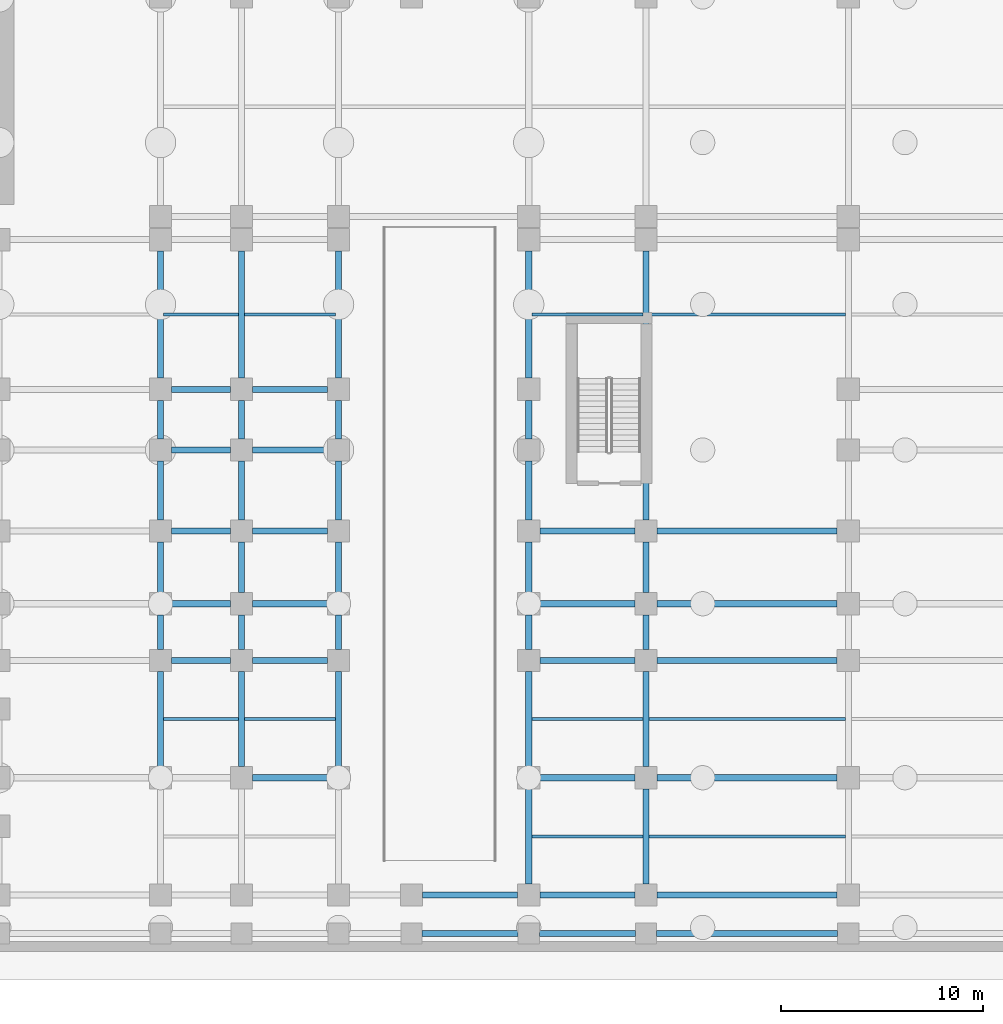
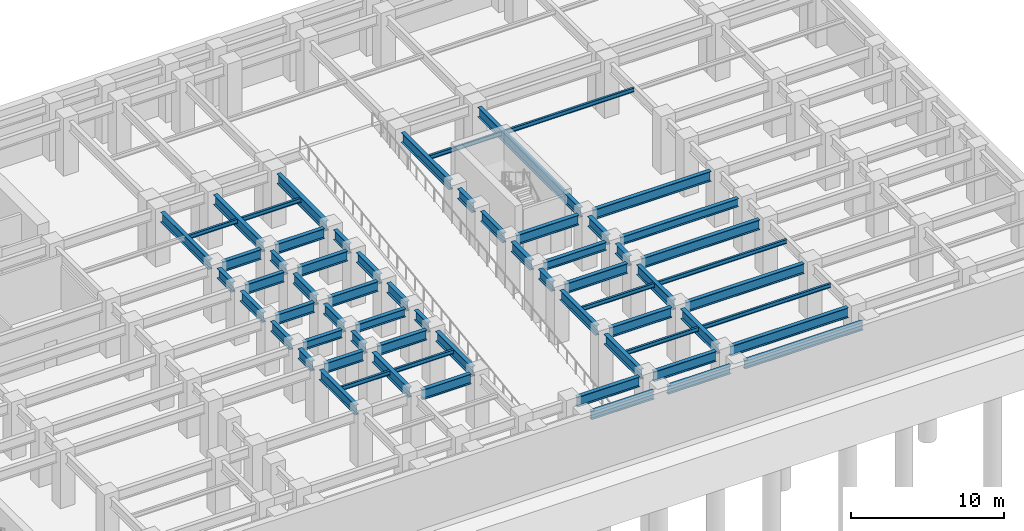
# One storey, part 3 of 13: 65 beams.
"""IFC4 building model written with IfcOpenShell, lengths in metres."""

from ifc_helpers import new_model, si_unit, direction, frame, origin, origin_2d, place, context, subcontext, project, spatial, i_section, extrude, material, material_profile, profile_set, type_object, element, save


model = new_model("IFC4")

# Units and contexts
model_context = context("Model", 3, precision=1e-05, world=origin(), true_north=direction((0.0, 1.0)))
body_context = subcontext(model_context, "Body", "Model", "MODEL_VIEW")
ifc_project = project(units=[si_unit("LENGTHUNIT", "METRE"), si_unit("AREAUNIT", "SQUARE_METRE"), si_unit("VOLUMEUNIT", "CUBIC_METRE"), si_unit("PLANEANGLEUNIT", "RADIAN"), si_unit("MASSUNIT", "GRAM", prefix="KILO")], contexts=[model_context])

# Site, building, storey
site_placement = place(None, origin())
site = spatial("IfcSite", under=ifc_project, at=site_placement, CompositionType="ELEMENT")
building_placement = place(site_placement, origin())
building = spatial("IfcBuilding", under=site, at=building_placement, Name="Kefirva Bronze Tower", CompositionType="ELEMENT")
storey_placement = place(building_placement, frame((0.0, 0.0, -9.239990234375)))
storey = spatial("IfcBuildingStorey", under=building, at=storey_placement, Name="B2", CompositionType="ELEMENT", Elevation=-9.239990234375)

# Beams
ifc_material = material(Name="Steel S355", Category="steel")
ifc_material_profile_1 = material_profile(ifc_material, i_section(OverallWidth=0.159912109375, OverallDepth=0.330078125, WebThickness=0.007568359375, FlangeThickness=0.011474609375, at=origin_2d()), Name="IPE 330")
ifc_profile_set_1 = profile_set([ifc_material_profile_1], Name="Steel S355")
beam_type_1 = type_object("IfcBeamType", Name="Steel Floor Joist IPE 330", PredefinedType="JOIST", material=ifc_profile_set_1)
for number, where, z_axis, x_axis, name in (
    (1, (31.35009765625, 9.5, 4.10498046875), (1.0, 0.0, 0.0), (0.0, 1.0, 0.0), "B2 JST-B2-31-95"),
    (2, (31.35009765625, 29.5, 4.10498046875), (1.0, 0.0, 0.0), (0.0, 1.0, 0.0), "B2 JST-B2-31-295"),
):
    element("IfcBeam", number, at=place(storey_placement, frame(where, z_axis=z_axis, x_axis=x_axis)), inside=storey, type_object=beam_type_1, Name=name, PredefinedType="JOIST", context=body_context, shape_type="SweptSolid", body=[
        extrude(i_section(OverallWidth=0.159912109375, OverallDepth=0.330078125, WebThickness=0.007568359375, FlangeThickness=0.011474609375, at=origin_2d()), origin(), (0.0, 0.0, 1.0), 3.699951171875),
    ])
for number, where, z_axis, x_axis, name in (
    (3, (35.35009765625, 9.5, 4.10498046875), (1.0, 0.0, 0.0), (0.0, 1.0, 0.0), "B2 JST-B2-35-95"),
    (4, (35.35009765625, 29.5, 4.10498046875), (1.0, 0.0, 0.0), (0.0, 1.0, 0.0), "B2 JST-B2-35-295"),
):
    element("IfcBeam", number, at=place(storey_placement, frame(where, z_axis=z_axis, x_axis=x_axis)), inside=storey, type_object=beam_type_1, Name=name, PredefinedType="JOIST", context=body_context, shape_type="SweptSolid", body=[
        extrude(i_section(OverallWidth=0.159912109375, OverallDepth=0.330078125, WebThickness=0.007568359375, FlangeThickness=0.011474609375, at=origin_2d()), origin(), (0.0, 0.0, 1.0), 4.5),
    ])
for number, where, z_axis, x_axis, name in (
    (5, (49.550048828125, 3.699951171875, 4.10498046875), (1.0, 0.0, 0.0), (0.0, 1.0, 0.0), "B2 JST-B2-49-37"),
    (6, (49.550048828125, 9.5, 4.10498046875), (1.0, 0.0, 0.0), (0.0, 1.0, 0.0), "B2 JST-B2-49-95"),
    (7, (49.550048828125, 29.5, 4.10498046875), (1.0, 0.0, 0.0), (0.0, 1.0, 0.0), "B2 JST-B2-49-295"),
):
    element("IfcBeam", number, at=place(storey_placement, frame(where, z_axis=z_axis, x_axis=x_axis)), inside=storey, type_object=beam_type_1, Name=name, PredefinedType="JOIST", context=body_context, shape_type="SweptSolid", body=[
        extrude(i_section(OverallWidth=0.159912109375, OverallDepth=0.330078125, WebThickness=0.007568359375, FlangeThickness=0.011474609375, at=origin_2d()), origin(), (0.0, 0.0, 1.0), 5.5),
    ])
for number, where, z_axis, x_axis, name in (
    (8, (55.35009765625, 3.699951171875, 4.10498046875), (1.0, 0.0, 0.0), (0.0, 1.0, 0.0), "B2 JST-B2-55-37"),
    (9, (55.35009765625, 9.5, 4.10498046875), (1.0, 0.0, 0.0), (0.0, 1.0, 0.0), "B2 JST-B2-55-95"),
    (10, (55.35009765625, 29.5, 4.10498046875), (1.0, 0.0, 0.0), (0.0, 1.0, 0.0), "B2 JST-B2-55-295"),
):
    element("IfcBeam", number, at=place(storey_placement, frame(where, z_axis=z_axis, x_axis=x_axis)), inside=storey, type_object=beam_type_1, Name=name, PredefinedType="JOIST", context=body_context, shape_type="SweptSolid", body=[
        extrude(i_section(OverallWidth=0.159912109375, OverallDepth=0.330078125, WebThickness=0.007568359375, FlangeThickness=0.011474609375, at=origin_2d()), origin(), (0.0, 0.0, 1.0), 9.699951171875),
    ])
ifc_material_profile_2 = material_profile(ifc_material, i_section(OverallWidth=0.300048828125, OverallDepth=0.800048828125, WebThickness=0.017578125, FlangeThickness=0.032958984375, at=origin_2d()), Name="HEB 800")
ifc_profile_set_2 = profile_set([ifc_material_profile_2], Name="Steel S355")
beam_type_2 = type_object("IfcBeamType", Name="Steel Girder HEB 800", PredefinedType="USERDEFINED", material=ifc_profile_set_2)
beam_1_placement = place(storey_placement, frame((44.14990234375, 0.800048828125, 3.869873046875), z_axis=(1.0, 0.0, 0.0), x_axis=(0.0, 1.0, 0.0)))
element("IfcBeam", 11, at=beam_1_placement, inside=storey, type_object=beam_type_2, Name="B2 BM-B2-EW-43-8", ObjectType="GIRDER", PredefinedType="USERDEFINED", context=body_context, shape_type="SweptSolid", body=[
    extrude(i_section(OverallWidth=0.300048828125, OverallDepth=0.800048828125, WebThickness=0.017578125, FlangeThickness=0.032958984375, at=origin_2d()), origin(), (0.0, 0.0, 1.0), 4.7001953125),
])
beam_2_placement = place(storey_placement, frame((49.949951171875, 0.800048828125, 3.869873046875), z_axis=(1.0, 0.0, 0.0), x_axis=(0.0, 1.0, 0.0)))
element("IfcBeam", 12, at=beam_2_placement, inside=storey, type_object=beam_type_2, Name="B2 BM-B2-EW-49-8", ObjectType="GIRDER", PredefinedType="USERDEFINED", context=body_context, shape_type="SweptSolid", body=[
    extrude(i_section(OverallWidth=0.300048828125, OverallDepth=0.800048828125, WebThickness=0.017578125, FlangeThickness=0.032958984375, at=origin_2d()), origin(), (0.0, 0.0, 1.0), 4.699951171875),
])
beam_3_placement = place(storey_placement, frame((55.75, 0.800048828125, 3.869873046875), z_axis=(1.0, 0.0, 0.0), x_axis=(0.0, 1.0, 0.0)))
element("IfcBeam", 13, at=beam_3_placement, inside=storey, type_object=beam_type_2, Name="B2 BM-B2-EW-55-8", ObjectType="GIRDER", PredefinedType="USERDEFINED", context=body_context, shape_type="SweptSolid", body=[
    extrude(i_section(OverallWidth=0.300048828125, OverallDepth=0.800048828125, WebThickness=0.017578125, FlangeThickness=0.032958984375, at=origin_2d()), origin(), (0.0, 0.0, 1.0), 8.89990234375),
])
beam_4_placement = place(storey_placement, frame((35.75, 6.60009765625, 3.869873046875), z_axis=(1.0, 0.0, 0.0), x_axis=(0.0, 1.0, 0.0)))
element("IfcBeam", 14, at=beam_4_placement, inside=storey, type_object=beam_type_2, Name="B2 BM-B2-EW-35-66", ObjectType="GIRDER", PredefinedType="USERDEFINED", context=body_context, shape_type="SweptSolid", body=[
    extrude(i_section(OverallWidth=0.300048828125, OverallDepth=0.800048828125, WebThickness=0.017578125, FlangeThickness=0.032958984375, at=origin_2d()), origin(), (0.0, 0.0, 1.0), 3.699951171875),
])
beam_5_placement = place(storey_placement, frame((49.949951171875, 6.60009765625, 3.869873046875), z_axis=(1.0, 0.0, 0.0), x_axis=(0.0, 1.0, 0.0)))
element("IfcBeam", 15, at=beam_5_placement, inside=storey, type_object=beam_type_2, Name="B2 BM-B2-EW-49-66", ObjectType="GIRDER", PredefinedType="USERDEFINED", context=body_context, shape_type="SweptSolid", body=[
    extrude(i_section(OverallWidth=0.300048828125, OverallDepth=0.800048828125, WebThickness=0.017578125, FlangeThickness=0.032958984375, at=origin_2d()), origin(), (0.0, 0.0, 1.0), 4.699951171875),
])
beam_6_placement = place(storey_placement, frame((55.75, 6.60009765625, 3.869873046875), z_axis=(1.0, 0.0, 0.0), x_axis=(0.0, 1.0, 0.0)))
element("IfcBeam", 16, at=beam_6_placement, inside=storey, type_object=beam_type_2, Name="B2 BM-B2-EW-55-66", ObjectType="GIRDER", PredefinedType="USERDEFINED", context=body_context, shape_type="SweptSolid", body=[
    extrude(i_section(OverallWidth=0.300048828125, OverallDepth=0.800048828125, WebThickness=0.017578125, FlangeThickness=0.032958984375, at=origin_2d()), origin(), (0.0, 0.0, 1.0), 8.89990234375),
])
beam_7_placement = place(storey_placement, frame((31.75, 12.39990234375, 3.869873046875), z_axis=(1.0, 0.0, 0.0), x_axis=(0.0, 1.0, 0.0)))
element("IfcBeam", 17, at=beam_7_placement, inside=storey, type_object=beam_type_2, Name="B2 BM-B2-EW-31-124", ObjectType="GIRDER", PredefinedType="USERDEFINED", context=body_context, shape_type="SweptSolid", body=[
    extrude(i_section(OverallWidth=0.300048828125, OverallDepth=0.800048828125, WebThickness=0.017578125, FlangeThickness=0.032958984375, at=origin_2d()), origin(), (0.0, 0.0, 1.0), 2.89990234375),
])
beam_8_placement = place(storey_placement, frame((35.75, 12.39990234375, 3.869873046875), z_axis=(1.0, 0.0, 0.0), x_axis=(0.0, 1.0, 0.0)))
element("IfcBeam", 18, at=beam_8_placement, inside=storey, type_object=beam_type_2, Name="B2 BM-B2-EW-35-124", ObjectType="GIRDER", PredefinedType="USERDEFINED", context=body_context, shape_type="SweptSolid", body=[
    extrude(i_section(OverallWidth=0.300048828125, OverallDepth=0.800048828125, WebThickness=0.017578125, FlangeThickness=0.032958984375, at=origin_2d()), origin(), (0.0, 0.0, 1.0), 3.699951171875),
])
beam_9_placement = place(storey_placement, frame((49.949951171875, 12.39990234375, 3.869873046875), z_axis=(1.0, 0.0, 0.0), x_axis=(0.0, 1.0, 0.0)))
element("IfcBeam", 19, at=beam_9_placement, inside=storey, type_object=beam_type_2, Name="B2 BM-B2-EW-49-124", ObjectType="GIRDER", PredefinedType="USERDEFINED", context=body_context, shape_type="SweptSolid", body=[
    extrude(i_section(OverallWidth=0.300048828125, OverallDepth=0.800048828125, WebThickness=0.017578125, FlangeThickness=0.032958984375, at=origin_2d()), origin(), (0.0, 0.0, 1.0), 4.699951171875),
])
beam_10_placement = place(storey_placement, frame((55.75, 12.39990234375, 3.869873046875), z_axis=(1.0, 0.0, 0.0), x_axis=(0.0, 1.0, 0.0)))
element("IfcBeam", 20, at=beam_10_placement, inside=storey, type_object=beam_type_2, Name="B2 BM-B2-EW-55-124", ObjectType="GIRDER", PredefinedType="USERDEFINED", context=body_context, shape_type="SweptSolid", body=[
    extrude(i_section(OverallWidth=0.300048828125, OverallDepth=0.800048828125, WebThickness=0.017578125, FlangeThickness=0.032958984375, at=origin_2d()), origin(), (0.0, 0.0, 1.0), 8.89990234375),
])
beam_11_placement = place(storey_placement, frame((31.75, 18.800048828125, 3.869873046875), z_axis=(1.0, 0.0, 0.0), x_axis=(0.0, 1.0, 0.0)))
element("IfcBeam", 21, at=beam_11_placement, inside=storey, type_object=beam_type_2, Name="B2 BM-B2-EW-31-188", ObjectType="GIRDER", PredefinedType="USERDEFINED", context=body_context, shape_type="SweptSolid", body=[
    extrude(i_section(OverallWidth=0.300048828125, OverallDepth=0.800048828125, WebThickness=0.017578125, FlangeThickness=0.032958984375, at=origin_2d()), origin(), (0.0, 0.0, 1.0), 2.89990234375),
])
beam_12_placement = place(storey_placement, frame((35.75, 18.800048828125, 3.869873046875), z_axis=(1.0, 0.0, 0.0), x_axis=(0.0, 1.0, 0.0)))
element("IfcBeam", 22, at=beam_12_placement, inside=storey, type_object=beam_type_2, Name="B2 BM-B2-EW-35-188", ObjectType="GIRDER", PredefinedType="USERDEFINED", context=body_context, shape_type="SweptSolid", body=[
    extrude(i_section(OverallWidth=0.300048828125, OverallDepth=0.800048828125, WebThickness=0.017578125, FlangeThickness=0.032958984375, at=origin_2d()), origin(), (0.0, 0.0, 1.0), 3.699951171875),
])
beam_13_placement = place(storey_placement, frame((49.949951171875, 18.800048828125, 3.869873046875), z_axis=(1.0, 0.0, 0.0), x_axis=(0.0, 1.0, 0.0)))
element("IfcBeam", 23, at=beam_13_placement, inside=storey, type_object=beam_type_2, Name="B2 BM-B2-EW-49-188", ObjectType="GIRDER", PredefinedType="USERDEFINED", context=body_context, shape_type="SweptSolid", body=[
    extrude(i_section(OverallWidth=0.300048828125, OverallDepth=0.800048828125, WebThickness=0.017578125, FlangeThickness=0.032958984375, at=origin_2d()), origin(), (0.0, 0.0, 1.0), 4.699951171875),
])
beam_14_placement = place(storey_placement, frame((55.75, 18.800048828125, 3.869873046875), z_axis=(1.0, 0.0, 0.0), x_axis=(0.0, 1.0, 0.0)))
element("IfcBeam", 24, at=beam_14_placement, inside=storey, type_object=beam_type_2, Name="B2 BM-B2-EW-55-188", ObjectType="GIRDER", PredefinedType="USERDEFINED", context=body_context, shape_type="SweptSolid", body=[
    extrude(i_section(OverallWidth=0.300048828125, OverallDepth=0.800048828125, WebThickness=0.017578125, FlangeThickness=0.032958984375, at=origin_2d()), origin(), (0.0, 0.0, 1.0), 8.89990234375),
])
beam_15_placement = place(storey_placement, frame((31.75, 22.800048828125, 3.869873046875), z_axis=(1.0, 0.0, 0.0), x_axis=(0.0, 1.0, 0.0)))
element("IfcBeam", 25, at=beam_15_placement, inside=storey, type_object=beam_type_2, Name="B2 BM-B2-EW-31-228", ObjectType="GIRDER", PredefinedType="USERDEFINED", context=body_context, shape_type="SweptSolid", body=[
    extrude(i_section(OverallWidth=0.300048828125, OverallDepth=0.800048828125, WebThickness=0.017578125, FlangeThickness=0.032958984375, at=origin_2d()), origin(), (0.0, 0.0, 1.0), 2.89990234375),
])
beam_16_placement = place(storey_placement, frame((35.75, 22.800048828125, 3.869873046875), z_axis=(1.0, 0.0, 0.0), x_axis=(0.0, 1.0, 0.0)))
element("IfcBeam", 26, at=beam_16_placement, inside=storey, type_object=beam_type_2, Name="B2 BM-B2-EW-35-228", ObjectType="GIRDER", PredefinedType="USERDEFINED", context=body_context, shape_type="SweptSolid", body=[
    extrude(i_section(OverallWidth=0.300048828125, OverallDepth=0.800048828125, WebThickness=0.017578125, FlangeThickness=0.032958984375, at=origin_2d()), origin(), (0.0, 0.0, 1.0), 3.699951171875),
])
beam_17_placement = place(storey_placement, frame((31.75, 25.800048828125, 3.869873046875), z_axis=(1.0, 0.0, 0.0), x_axis=(0.0, 1.0, 0.0)))
element("IfcBeam", 27, at=beam_17_placement, inside=storey, type_object=beam_type_2, Name="B2 BM-B2-EW-31-258", ObjectType="GIRDER", PredefinedType="USERDEFINED", context=body_context, shape_type="SweptSolid", body=[
    extrude(i_section(OverallWidth=0.300048828125, OverallDepth=0.800048828125, WebThickness=0.017578125, FlangeThickness=0.032958984375, at=origin_2d()), origin(), (0.0, 0.0, 1.0), 2.89990234375),
])
beam_18_placement = place(storey_placement, frame((35.75, 25.800048828125, 3.869873046875), z_axis=(1.0, 0.0, 0.0), x_axis=(0.0, 1.0, 0.0)))
element("IfcBeam", 28, at=beam_18_placement, inside=storey, type_object=beam_type_2, Name="B2 BM-B2-EW-35-258", ObjectType="GIRDER", PredefinedType="USERDEFINED", context=body_context, shape_type="SweptSolid", body=[
    extrude(i_section(OverallWidth=0.300048828125, OverallDepth=0.800048828125, WebThickness=0.017578125, FlangeThickness=0.032958984375, at=origin_2d()), origin(), (0.0, 0.0, 1.0), 3.699951171875),
])
beam_19_placement = place(storey_placement, frame((31.199951171875, 7.14990234375, 3.869873046875), z_axis=(0.0, 1.0, 0.0), x_axis=(-1.0, 0.0, 0.0)))
element("IfcBeam", 29, at=beam_19_placement, inside=storey, type_object=beam_type_2, Name="B2 BM-B2-NS-312-6", ObjectType="GIRDER", PredefinedType="USERDEFINED", context=body_context, shape_type="SweptSolid", body=[
    extrude(i_section(OverallWidth=0.300048828125, OverallDepth=0.800048828125, WebThickness=0.017578125, FlangeThickness=0.032958984375, at=origin_2d()), origin(), (0.0, 0.0, 1.0), 4.7001953125),
])
beam_20_placement = place(storey_placement, frame((31.199951171875, 12.949951171875, 3.869873046875), z_axis=(0.0, 1.0, 0.0), x_axis=(-1.0, 0.0, 0.0)))
element("IfcBeam", 30, at=beam_20_placement, inside=storey, type_object=beam_type_2, Name="B2 BM-B2-NS-312-12", ObjectType="GIRDER", PredefinedType="USERDEFINED", context=body_context, shape_type="SweptSolid", body=[
    extrude(i_section(OverallWidth=0.300048828125, OverallDepth=0.800048828125, WebThickness=0.017578125, FlangeThickness=0.032958984375, at=origin_2d()), origin(), (0.0, 0.0, 1.0), 1.699951171875),
])
beam_21_placement = place(storey_placement, frame((31.199951171875, 15.75, 3.869873046875), z_axis=(0.0, 1.0, 0.0), x_axis=(-1.0, 0.0, 0.0)))
element("IfcBeam", 31, at=beam_21_placement, inside=storey, type_object=beam_type_2, Name="B2 BM-B2-NS-312-15", ObjectType="GIRDER", PredefinedType="USERDEFINED", context=body_context, shape_type="SweptSolid", body=[
    extrude(i_section(OverallWidth=0.300048828125, OverallDepth=0.800048828125, WebThickness=0.017578125, FlangeThickness=0.032958984375, at=origin_2d()), origin(), (0.0, 0.0, 1.0), 2.5),
])
beam_22_placement = place(storey_placement, frame((31.199951171875, 19.35009765625, 3.869873046875), z_axis=(0.0, 1.0, 0.0), x_axis=(-1.0, 0.0, 0.0)))
element("IfcBeam", 32, at=beam_22_placement, inside=storey, type_object=beam_type_2, Name="B2 BM-B2-NS-312-18", ObjectType="GIRDER", PredefinedType="USERDEFINED", context=body_context, shape_type="SweptSolid", body=[
    extrude(i_section(OverallWidth=0.300048828125, OverallDepth=0.800048828125, WebThickness=0.017578125, FlangeThickness=0.032958984375, at=origin_2d()), origin(), (0.0, 0.0, 1.0), 2.89990234375),
])
beam_23_placement = place(storey_placement, frame((31.199951171875, 23.35009765625, 3.869873046875), z_axis=(0.0, 1.0, 0.0), x_axis=(-1.0, 0.0, 0.0)))
element("IfcBeam", 33, at=beam_23_placement, inside=storey, type_object=beam_type_2, Name="B2 BM-B2-NS-312-22", ObjectType="GIRDER", PredefinedType="USERDEFINED", context=body_context, shape_type="SweptSolid", body=[
    extrude(i_section(OverallWidth=0.300048828125, OverallDepth=0.800048828125, WebThickness=0.017578125, FlangeThickness=0.032958984375, at=origin_2d()), origin(), (0.0, 0.0, 1.0), 1.89990234375),
])
beam_24_placement = place(storey_placement, frame((31.199951171875, 26.35009765625, 3.869873046875), z_axis=(0.0, 1.0, 0.0), x_axis=(-1.0, 0.0, 0.0)))
element("IfcBeam", 34, at=beam_24_placement, inside=storey, type_object=beam_type_2, Name="B2 BM-B2-NS-312-25", ObjectType="GIRDER", PredefinedType="USERDEFINED", context=body_context, shape_type="SweptSolid", body=[
    extrude(i_section(OverallWidth=0.300048828125, OverallDepth=0.800048828125, WebThickness=0.017578125, FlangeThickness=0.032958984375, at=origin_2d()), origin(), (0.0, 0.0, 1.0), 6.2998046875),
])
beam_25_placement = place(storey_placement, frame((35.199951171875, 7.14990234375, 3.869873046875), z_axis=(0.0, 1.0, 0.0), x_axis=(-1.0, 0.0, 0.0)))
element("IfcBeam", 35, at=beam_25_placement, inside=storey, type_object=beam_type_2, Name="B2 BM-B2-NS-352-6", ObjectType="GIRDER", PredefinedType="USERDEFINED", context=body_context, shape_type="SweptSolid", body=[
    extrude(i_section(OverallWidth=0.300048828125, OverallDepth=0.800048828125, WebThickness=0.017578125, FlangeThickness=0.032958984375, at=origin_2d()), origin(), (0.0, 0.0, 1.0), 4.7001953125),
])
beam_26_placement = place(storey_placement, frame((35.199951171875, 12.949951171875, 3.869873046875), z_axis=(0.0, 1.0, 0.0), x_axis=(-1.0, 0.0, 0.0)))
element("IfcBeam", 36, at=beam_26_placement, inside=storey, type_object=beam_type_2, Name="B2 BM-B2-NS-352-12", ObjectType="GIRDER", PredefinedType="USERDEFINED", context=body_context, shape_type="SweptSolid", body=[
    extrude(i_section(OverallWidth=0.300048828125, OverallDepth=0.800048828125, WebThickness=0.017578125, FlangeThickness=0.032958984375, at=origin_2d()), origin(), (0.0, 0.0, 1.0), 1.699951171875),
])
beam_27_placement = place(storey_placement, frame((35.199951171875, 15.75, 3.869873046875), z_axis=(0.0, 1.0, 0.0), x_axis=(-1.0, 0.0, 0.0)))
element("IfcBeam", 37, at=beam_27_placement, inside=storey, type_object=beam_type_2, Name="B2 BM-B2-NS-352-15", ObjectType="GIRDER", PredefinedType="USERDEFINED", context=body_context, shape_type="SweptSolid", body=[
    extrude(i_section(OverallWidth=0.300048828125, OverallDepth=0.800048828125, WebThickness=0.017578125, FlangeThickness=0.032958984375, at=origin_2d()), origin(), (0.0, 0.0, 1.0), 2.5),
])
beam_28_placement = place(storey_placement, frame((35.199951171875, 19.35009765625, 3.869873046875), z_axis=(0.0, 1.0, 0.0), x_axis=(-1.0, 0.0, 0.0)))
element("IfcBeam", 38, at=beam_28_placement, inside=storey, type_object=beam_type_2, Name="B2 BM-B2-NS-352-18", ObjectType="GIRDER", PredefinedType="USERDEFINED", context=body_context, shape_type="SweptSolid", body=[
    extrude(i_section(OverallWidth=0.300048828125, OverallDepth=0.800048828125, WebThickness=0.017578125, FlangeThickness=0.032958984375, at=origin_2d()), origin(), (0.0, 0.0, 1.0), 2.89990234375),
])
beam_29_placement = place(storey_placement, frame((35.199951171875, 23.35009765625, 3.869873046875), z_axis=(0.0, 1.0, 0.0), x_axis=(-1.0, 0.0, 0.0)))
element("IfcBeam", 39, at=beam_29_placement, inside=storey, type_object=beam_type_2, Name="B2 BM-B2-NS-352-22", ObjectType="GIRDER", PredefinedType="USERDEFINED", context=body_context, shape_type="SweptSolid", body=[
    extrude(i_section(OverallWidth=0.300048828125, OverallDepth=0.800048828125, WebThickness=0.017578125, FlangeThickness=0.032958984375, at=origin_2d()), origin(), (0.0, 0.0, 1.0), 1.89990234375),
])
beam_30_placement = place(storey_placement, frame((35.199951171875, 26.35009765625, 3.869873046875), z_axis=(0.0, 1.0, 0.0), x_axis=(-1.0, 0.0, 0.0)))
element("IfcBeam", 40, at=beam_30_placement, inside=storey, type_object=beam_type_2, Name="B2 BM-B2-NS-352-25", ObjectType="GIRDER", PredefinedType="USERDEFINED", context=body_context, shape_type="SweptSolid", body=[
    extrude(i_section(OverallWidth=0.300048828125, OverallDepth=0.800048828125, WebThickness=0.017578125, FlangeThickness=0.032958984375, at=origin_2d()), origin(), (0.0, 0.0, 1.0), 6.2998046875),
])
beam_31_placement = place(storey_placement, frame((40.0, 7.14990234375, 3.869873046875), z_axis=(0.0, 1.0, 0.0), x_axis=(-1.0, 0.0, 0.0)))
element("IfcBeam", 41, at=beam_31_placement, inside=storey, type_object=beam_type_2, Name="B2 BM-B2-NS-400-6", ObjectType="GIRDER", PredefinedType="USERDEFINED", context=body_context, shape_type="SweptSolid", body=[
    extrude(i_section(OverallWidth=0.300048828125, OverallDepth=0.800048828125, WebThickness=0.017578125, FlangeThickness=0.032958984375, at=origin_2d()), origin(), (0.0, 0.0, 1.0), 4.7001953125),
])
beam_32_placement = place(storey_placement, frame((40.0, 12.949951171875, 3.869873046875), z_axis=(0.0, 1.0, 0.0), x_axis=(-1.0, 0.0, 0.0)))
element("IfcBeam", 42, at=beam_32_placement, inside=storey, type_object=beam_type_2, Name="B2 BM-B2-NS-400-12", ObjectType="GIRDER", PredefinedType="USERDEFINED", context=body_context, shape_type="SweptSolid", body=[
    extrude(i_section(OverallWidth=0.300048828125, OverallDepth=0.800048828125, WebThickness=0.017578125, FlangeThickness=0.032958984375, at=origin_2d()), origin(), (0.0, 0.0, 1.0), 1.699951171875),
])
beam_33_placement = place(storey_placement, frame((40.0, 15.75, 3.869873046875), z_axis=(0.0, 1.0, 0.0), x_axis=(-1.0, 0.0, 0.0)))
element("IfcBeam", 43, at=beam_33_placement, inside=storey, type_object=beam_type_2, Name="B2 BM-B2-NS-400-15", ObjectType="GIRDER", PredefinedType="USERDEFINED", context=body_context, shape_type="SweptSolid", body=[
    extrude(i_section(OverallWidth=0.300048828125, OverallDepth=0.800048828125, WebThickness=0.017578125, FlangeThickness=0.032958984375, at=origin_2d()), origin(), (0.0, 0.0, 1.0), 2.5),
])
beam_34_placement = place(storey_placement, frame((40.0, 19.35009765625, 3.869873046875), z_axis=(0.0, 1.0, 0.0), x_axis=(-1.0, 0.0, 0.0)))
element("IfcBeam", 44, at=beam_34_placement, inside=storey, type_object=beam_type_2, Name="B2 BM-B2-NS-400-18", ObjectType="GIRDER", PredefinedType="USERDEFINED", context=body_context, shape_type="SweptSolid", body=[
    extrude(i_section(OverallWidth=0.300048828125, OverallDepth=0.800048828125, WebThickness=0.017578125, FlangeThickness=0.032958984375, at=origin_2d()), origin(), (0.0, 0.0, 1.0), 2.89990234375),
])
beam_35_placement = place(storey_placement, frame((40.0, 23.35009765625, 3.869873046875), z_axis=(0.0, 1.0, 0.0), x_axis=(-1.0, 0.0, 0.0)))
element("IfcBeam", 45, at=beam_35_placement, inside=storey, type_object=beam_type_2, Name="B2 BM-B2-NS-400-22", ObjectType="GIRDER", PredefinedType="USERDEFINED", context=body_context, shape_type="SweptSolid", body=[
    extrude(i_section(OverallWidth=0.300048828125, OverallDepth=0.800048828125, WebThickness=0.017578125, FlangeThickness=0.032958984375, at=origin_2d()), origin(), (0.0, 0.0, 1.0), 1.89990234375),
])
beam_36_placement = place(storey_placement, frame((40.0, 26.35009765625, 3.869873046875), z_axis=(0.0, 1.0, 0.0), x_axis=(-1.0, 0.0, 0.0)))
element("IfcBeam", 46, at=beam_36_placement, inside=storey, type_object=beam_type_2, Name="B2 BM-B2-NS-400-25", ObjectType="GIRDER", PredefinedType="USERDEFINED", context=body_context, shape_type="SweptSolid", body=[
    extrude(i_section(OverallWidth=0.300048828125, OverallDepth=0.800048828125, WebThickness=0.017578125, FlangeThickness=0.032958984375, at=origin_2d()), origin(), (0.0, 0.0, 1.0), 6.2998046875),
])
beam_37_placement = place(storey_placement, frame((49.39990234375, 1.35009765625, 3.869873046875), z_axis=(0.0, 1.0, 0.0), x_axis=(-1.0, 0.0, 0.0)))
element("IfcBeam", 47, at=beam_37_placement, inside=storey, type_object=beam_type_2, Name="B2 BM-B2-NS-494-0", ObjectType="GIRDER", PredefinedType="USERDEFINED", context=body_context, shape_type="SweptSolid", body=[
    extrude(i_section(OverallWidth=0.300048828125, OverallDepth=0.800048828125, WebThickness=0.017578125, FlangeThickness=0.032958984375, at=origin_2d()), origin(), (0.0, 0.0, 1.0), 4.699951171875),
])
beam_38_placement = place(storey_placement, frame((49.39990234375, 7.14990234375, 3.869873046875), z_axis=(0.0, 1.0, 0.0), x_axis=(-1.0, 0.0, 0.0)))
element("IfcBeam", 48, at=beam_38_placement, inside=storey, type_object=beam_type_2, Name="B2 BM-B2-NS-494-6", ObjectType="GIRDER", PredefinedType="USERDEFINED", context=body_context, shape_type="SweptSolid", body=[
    extrude(i_section(OverallWidth=0.300048828125, OverallDepth=0.800048828125, WebThickness=0.017578125, FlangeThickness=0.032958984375, at=origin_2d()), origin(), (0.0, 0.0, 1.0), 4.7001953125),
])
beam_39_placement = place(storey_placement, frame((49.39990234375, 12.949951171875, 3.869873046875), z_axis=(0.0, 1.0, 0.0), x_axis=(-1.0, 0.0, 0.0)))
element("IfcBeam", 49, at=beam_39_placement, inside=storey, type_object=beam_type_2, Name="B2 BM-B2-NS-494-12", ObjectType="GIRDER", PredefinedType="USERDEFINED", context=body_context, shape_type="SweptSolid", body=[
    extrude(i_section(OverallWidth=0.300048828125, OverallDepth=0.800048828125, WebThickness=0.017578125, FlangeThickness=0.032958984375, at=origin_2d()), origin(), (0.0, 0.0, 1.0), 1.699951171875),
])
beam_40_placement = place(storey_placement, frame((49.39990234375, 15.75, 3.869873046875), z_axis=(0.0, 1.0, 0.0), x_axis=(-1.0, 0.0, 0.0)))
element("IfcBeam", 50, at=beam_40_placement, inside=storey, type_object=beam_type_2, Name="B2 BM-B2-NS-494-15", ObjectType="GIRDER", PredefinedType="USERDEFINED", context=body_context, shape_type="SweptSolid", body=[
    extrude(i_section(OverallWidth=0.300048828125, OverallDepth=0.800048828125, WebThickness=0.017578125, FlangeThickness=0.032958984375, at=origin_2d()), origin(), (0.0, 0.0, 1.0), 2.5),
])
beam_41_placement = place(storey_placement, frame((49.39990234375, 19.35009765625, 3.869873046875), z_axis=(0.0, 1.0, 0.0), x_axis=(-1.0, 0.0, 0.0)))
element("IfcBeam", 51, at=beam_41_placement, inside=storey, type_object=beam_type_2, Name="B2 BM-B2-NS-494-18", ObjectType="GIRDER", PredefinedType="USERDEFINED", context=body_context, shape_type="SweptSolid", body=[
    extrude(i_section(OverallWidth=0.300048828125, OverallDepth=0.800048828125, WebThickness=0.017578125, FlangeThickness=0.032958984375, at=origin_2d()), origin(), (0.0, 0.0, 1.0), 2.89990234375),
])
beam_42_placement = place(storey_placement, frame((49.39990234375, 23.35009765625, 3.869873046875), z_axis=(0.0, 1.0, 0.0), x_axis=(-1.0, 0.0, 0.0)))
element("IfcBeam", 52, at=beam_42_placement, inside=storey, type_object=beam_type_2, Name="B2 BM-B2-NS-494-22", ObjectType="GIRDER", PredefinedType="USERDEFINED", context=body_context, shape_type="SweptSolid", body=[
    extrude(i_section(OverallWidth=0.300048828125, OverallDepth=0.800048828125, WebThickness=0.017578125, FlangeThickness=0.032958984375, at=origin_2d()), origin(), (0.0, 0.0, 1.0), 1.89990234375),
])
beam_43_placement = place(storey_placement, frame((49.39990234375, 26.35009765625, 3.869873046875), z_axis=(0.0, 1.0, 0.0), x_axis=(-1.0, 0.0, 0.0)))
element("IfcBeam", 53, at=beam_43_placement, inside=storey, type_object=beam_type_2, Name="B2 BM-B2-NS-494-25", ObjectType="GIRDER", PredefinedType="USERDEFINED", context=body_context, shape_type="SweptSolid", body=[
    extrude(i_section(OverallWidth=0.300048828125, OverallDepth=0.800048828125, WebThickness=0.017578125, FlangeThickness=0.032958984375, at=origin_2d()), origin(), (0.0, 0.0, 1.0), 6.2998046875),
])
beam_44_placement = place(storey_placement, frame((55.199951171875, 1.35009765625, 3.869873046875), z_axis=(0.0, 1.0, 0.0), x_axis=(-1.0, 0.0, 0.0)))
element("IfcBeam", 54, at=beam_44_placement, inside=storey, type_object=beam_type_2, Name="B2 BM-B2-NS-552-0", ObjectType="GIRDER", PredefinedType="USERDEFINED", context=body_context, shape_type="SweptSolid", body=[
    extrude(i_section(OverallWidth=0.300048828125, OverallDepth=0.800048828125, WebThickness=0.017578125, FlangeThickness=0.032958984375, at=origin_2d()), origin(), (0.0, 0.0, 1.0), 4.699951171875),
])
beam_45_placement = place(storey_placement, frame((55.199951171875, 7.14990234375, 3.869873046875), z_axis=(0.0, 1.0, 0.0), x_axis=(-1.0, 0.0, 0.0)))
element("IfcBeam", 55, at=beam_45_placement, inside=storey, type_object=beam_type_2, Name="B2 BM-B2-NS-552-6", ObjectType="GIRDER", PredefinedType="USERDEFINED", context=body_context, shape_type="SweptSolid", body=[
    extrude(i_section(OverallWidth=0.300048828125, OverallDepth=0.800048828125, WebThickness=0.017578125, FlangeThickness=0.032958984375, at=origin_2d()), origin(), (0.0, 0.0, 1.0), 4.7001953125),
])
beam_46_placement = place(storey_placement, frame((55.199951171875, 12.949951171875, 3.869873046875), z_axis=(0.0, 1.0, 0.0), x_axis=(-1.0, 0.0, 0.0)))
element("IfcBeam", 56, at=beam_46_placement, inside=storey, type_object=beam_type_2, Name="B2 BM-B2-NS-552-12", ObjectType="GIRDER", PredefinedType="USERDEFINED", context=body_context, shape_type="SweptSolid", body=[
    extrude(i_section(OverallWidth=0.300048828125, OverallDepth=0.800048828125, WebThickness=0.017578125, FlangeThickness=0.032958984375, at=origin_2d()), origin(), (0.0, 0.0, 1.0), 1.699951171875),
])
beam_47_placement = place(storey_placement, frame((55.199951171875, 15.75, 3.869873046875), z_axis=(0.0, 1.0, 0.0), x_axis=(-1.0, 0.0, 0.0)))
element("IfcBeam", 57, at=beam_47_placement, inside=storey, type_object=beam_type_2, Name="B2 BM-B2-NS-552-15", ObjectType="GIRDER", PredefinedType="USERDEFINED", context=body_context, shape_type="SweptSolid", body=[
    extrude(i_section(OverallWidth=0.300048828125, OverallDepth=0.800048828125, WebThickness=0.017578125, FlangeThickness=0.032958984375, at=origin_2d()), origin(), (0.0, 0.0, 1.0), 2.5),
])
beam_48_placement = place(storey_placement, frame((55.199951171875, 19.35009765625, 3.869873046875), z_axis=(0.0, 1.0, 0.0), x_axis=(-1.0, 0.0, 0.0)))
element("IfcBeam", 58, at=beam_48_placement, inside=storey, type_object=beam_type_2, Name="B2 BM-B2-NS-552-18", ObjectType="GIRDER", PredefinedType="USERDEFINED", context=body_context, shape_type="SweptSolid", body=[
    extrude(i_section(OverallWidth=0.300048828125, OverallDepth=0.800048828125, WebThickness=0.017578125, FlangeThickness=0.032958984375, at=origin_2d()), origin(), (0.0, 0.0, 1.0), 13.2998046875),
])
ifc_material_profile_3 = material_profile(ifc_material, i_section(OverallWidth=0.300048828125, OverallDepth=0.64990234375, WebThickness=0.01611328125, FlangeThickness=0.031005859375, at=origin_2d()), Name="HEB 650")
ifc_profile_set_3 = profile_set([ifc_material_profile_3], Name="Steel S355")
beam_type_3 = type_object("IfcBeamType", Name="Steel Spandrel HEB 650 Ext", PredefinedType="SPANDREL", material=ifc_profile_set_3)
for number, where, z_axis, x_axis, name in (
    (59, (44.125, -1.10009765625, 3.945068359375), (1.0, 0.0, 0.0), (0.0, 1.0, 0.0), "B2 BM-B2-EW-43--11"),
    (60, (49.925048828125, -1.10009765625, 3.945068359375), (1.0, 0.0, 0.0), (0.0, 1.0, 0.0), "B2 BM-B2-EW-49--11"),
):
    element("IfcBeam", number, at=place(storey_placement, frame(where, z_axis=z_axis, x_axis=x_axis)), inside=storey, type_object=beam_type_3, Name=name, PredefinedType="SPANDREL", context=body_context, shape_type="SweptSolid", body=[
        extrude(i_section(OverallWidth=0.300048828125, OverallDepth=0.64990234375, WebThickness=0.01611328125, FlangeThickness=0.031005859375, at=origin_2d()), origin(), (0.0, 0.0, 1.0), 4.75),
    ])
beam_49_placement = place(storey_placement, frame((55.72509765625, -1.10009765625, 3.945068359375), z_axis=(1.0, 0.0, 0.0), x_axis=(0.0, 1.0, 0.0)))
element("IfcBeam", 61, at=beam_49_placement, inside=storey, type_object=beam_type_3, Name="B2 BM-B2-EW-55--11", PredefinedType="SPANDREL", context=body_context, shape_type="SweptSolid", body=[
    extrude(i_section(OverallWidth=0.300048828125, OverallDepth=0.64990234375, WebThickness=0.01611328125, FlangeThickness=0.031005859375, at=origin_2d()), origin(), (0.0, 0.0, 1.0), 8.949951171875),
])
beam_50_placement = place(storey_placement, frame((31.75, 15.199951171875, 3.945068359375), z_axis=(1.0, 0.0, 0.0), x_axis=(0.0, 1.0, 0.0)))
element("IfcBeam", 62, at=beam_50_placement, inside=storey, type_object=beam_type_3, Name="B2 BM-B2-EW-31-152", PredefinedType="SPANDREL", context=body_context, shape_type="SweptSolid", body=[
    extrude(i_section(OverallWidth=0.300048828125, OverallDepth=0.64990234375, WebThickness=0.01611328125, FlangeThickness=0.031005859375, at=origin_2d()), origin(), (0.0, 0.0, 1.0), 2.89990234375),
])
beam_51_placement = place(storey_placement, frame((35.75, 15.199951171875, 3.945068359375), z_axis=(1.0, 0.0, 0.0), x_axis=(0.0, 1.0, 0.0)))
element("IfcBeam", 63, at=beam_51_placement, inside=storey, type_object=beam_type_3, Name="B2 BM-B2-EW-35-152", PredefinedType="SPANDREL", context=body_context, shape_type="SweptSolid", body=[
    extrude(i_section(OverallWidth=0.300048828125, OverallDepth=0.64990234375, WebThickness=0.01611328125, FlangeThickness=0.031005859375, at=origin_2d()), origin(), (0.0, 0.0, 1.0), 3.699951171875),
])
beam_52_placement = place(storey_placement, frame((49.949951171875, 15.199951171875, 3.945068359375), z_axis=(1.0, 0.0, 0.0), x_axis=(0.0, 1.0, 0.0)))
element("IfcBeam", 64, at=beam_52_placement, inside=storey, type_object=beam_type_3, Name="B2 BM-B2-EW-49-152", PredefinedType="SPANDREL", context=body_context, shape_type="SweptSolid", body=[
    extrude(i_section(OverallWidth=0.300048828125, OverallDepth=0.64990234375, WebThickness=0.01611328125, FlangeThickness=0.031005859375, at=origin_2d()), origin(), (0.0, 0.0, 1.0), 4.699951171875),
])
beam_53_placement = place(storey_placement, frame((55.75, 15.199951171875, 3.945068359375), z_axis=(1.0, 0.0, 0.0), x_axis=(0.0, 1.0, 0.0)))
element("IfcBeam", 65, at=beam_53_placement, inside=storey, type_object=beam_type_3, Name="B2 BM-B2-EW-55-152", PredefinedType="SPANDREL", context=body_context, shape_type="SweptSolid", body=[
    extrude(i_section(OverallWidth=0.300048828125, OverallDepth=0.64990234375, WebThickness=0.01611328125, FlangeThickness=0.031005859375, at=origin_2d()), origin(), (0.0, 0.0, 1.0), 8.89990234375),
])

save(model, "model.ifc")
